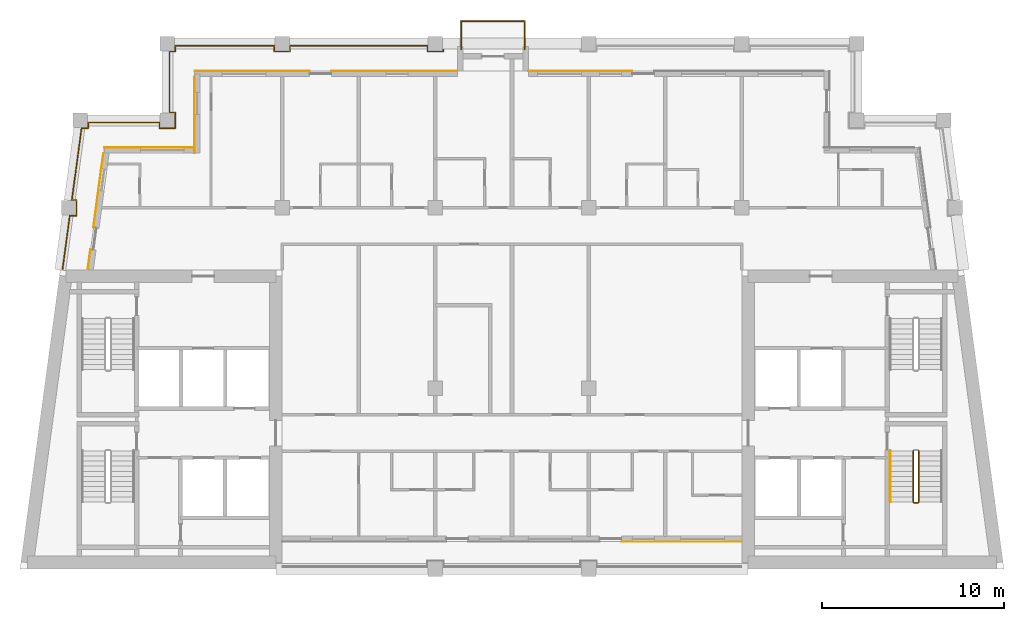
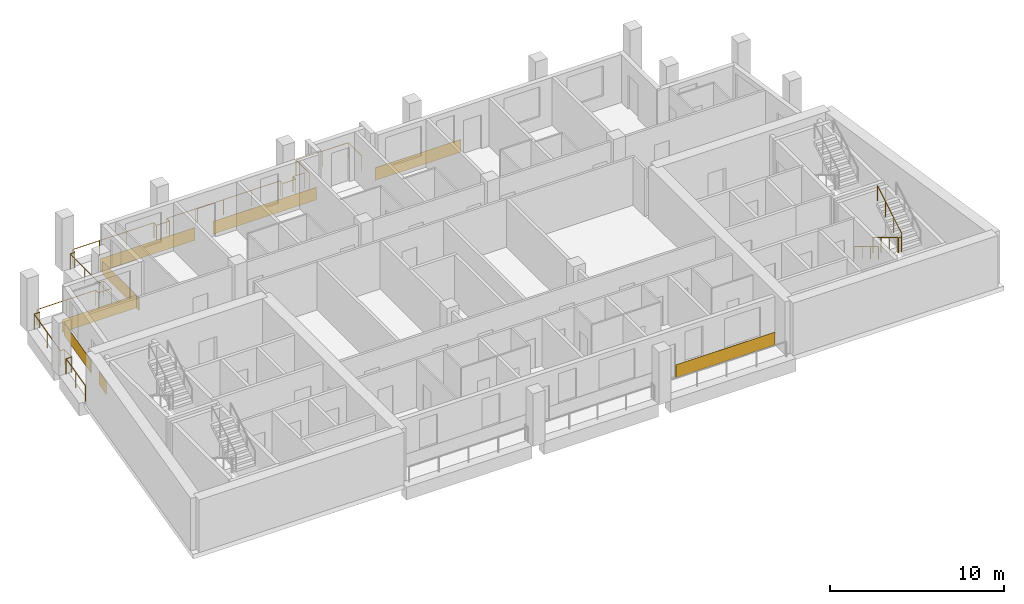
# One storey, part 8 of 9: 8 coverings, 5 railings.
"""IFC4 building model written with IfcOpenShell, lengths in metres."""

from ifc_helpers import new_model, si_unit, direction, frame, origin, origin_2d, place, context, subcontext, project, spatial, rectangle, circle, extrude, material, layer, layer_set, type_object, element, save


model = new_model("IFC4")

# Units and contexts
model_context = context("Model", 3, precision=1e-05, world=origin(), true_north=direction((0.0, 1.0)))
body_context = subcontext(model_context, "Body", "Model", "MODEL_VIEW")
ifc_project = project(units=[si_unit("LENGTHUNIT", "METRE"), si_unit("AREAUNIT", "SQUARE_METRE"), si_unit("VOLUMEUNIT", "CUBIC_METRE"), si_unit("PLANEANGLEUNIT", "RADIAN"), si_unit("MASSUNIT", "GRAM", prefix="KILO")], contexts=[model_context])

# Site, building, storey
site_placement = place(None, origin())
site = spatial("IfcSite", under=ifc_project, at=site_placement, CompositionType="ELEMENT")
building_placement = place(site_placement, origin())
building = spatial("IfcBuilding", under=site, at=building_placement, Name="Candeia Pilgrim Tower and Theatre", CompositionType="ELEMENT")
storey_placement = place(building_placement, frame((0.0, 0.0, 296.0)))
storey = spatial("IfcBuildingStorey", under=building, at=storey_placement, Name="L72", CompositionType="ELEMENT", Elevation=296.0)

# Railings
ifc_material_1 = material(Name="Stainless steel balustrade", Category="steel")
railing_type_1 = type_object("IfcRailingType", Name="G1 loggia guard 1100", PredefinedType="GUARDRAIL", material=ifc_material_1)
railing_1_placement = place(storey_placement, frame((94.070068359375, 140.47998046875, 0.0)))
element("IfcRailing", 1, at=railing_1_placement, inside=storey, type_object=railing_type_1, Name="Guard L72.1", PredefinedType="GUARDRAIL", context=body_context, shape_type="SweptSolid", body=[
    extrude(circle(Radius=0.02392578125, at=origin_2d()), frame((0.0, 0.0, 1.076171875), z_axis=(0.0, -1.0, 0.0), x_axis=(1.0, 0.0, 0.0)), (0.0, 0.0, 1.0), 0.31005859375),
    extrude(circle(Radius=0.02392578125, at=origin_2d()), frame((0.0, -0.31005859375, 1.076171875), z_axis=(1.0, 0.0, 0.0), x_axis=(0.0, 1.0, 0.0)), (0.0, 0.0, 1.0), 0.85986328125),
    extrude(circle(Radius=0.02392578125, at=origin_2d()), frame((0.85986328125, -0.31005859375, 1.076171875), z_axis=(0.0, 1.0, 0.0), x_axis=(-1.0, 0.0, 0.0)), (0.0, 0.0, 1.0), 0.860107421875),
    extrude(circle(Radius=0.02392578125, at=origin_2d()), frame((0.85986328125, 0.550048828125, 1.076171875), z_axis=(-1.0, 0.0, 0.0), x_axis=(0.0, -1.0, 0.0)), (0.0, 0.0, 1.0), 0.309814453125),
    extrude(circle(Radius=0.02392578125, at=origin_2d()), frame((0.550048828125, 0.550048828125, 1.076171875), z_axis=(0.0, 1.0, 0.0), x_axis=(-1.0, 0.0, 0.0)), (0.0, 0.0, 1.0), 3.340087890625),
    extrude(circle(Radius=0.02392578125, at=origin_2d()), frame((0.550048828125, 3.89013671875, 1.076171875), z_axis=(1.0, 0.0, 0.0), x_axis=(0.0, 1.0, 0.0)), (0.0, 0.0, 1.0), 0.309814453125),
    extrude(circle(Radius=0.02392578125, at=origin_2d()), frame((0.85986328125, 3.89013671875, 1.076171875), z_axis=(0.0, 1.0, 0.0), x_axis=(-1.0, 0.0, 0.0)), (0.0, 0.0, 1.0), 0.309814453125),
    extrude(circle(Radius=0.02392578125, at=origin_2d()), frame((0.85986328125, 4.199951171875, 1.076171875), z_axis=(1.0, 0.0, 0.0), x_axis=(0.0, 1.0, 0.0)), (0.0, 0.0, 1.0), 5.440185546875),
    extrude(circle(Radius=0.02392578125, at=origin_2d()), frame((6.300048828125, 4.199951171875, 1.076171875), z_axis=(0.0, -1.0, 0.0), x_axis=(1.0, 0.0, 0.0)), (0.0, 0.0, 1.0), 0.309814453125),
    extrude(circle(Radius=0.02392578125, at=origin_2d()), frame((6.300048828125, 3.89013671875, 1.076171875), z_axis=(1.0, 0.0, 0.0), x_axis=(0.0, 1.0, 0.0)), (0.0, 0.0, 1.0), 0.85986328125),
    extrude(circle(Radius=0.02392578125, at=origin_2d()), frame((7.159912109375, 3.89013671875, 1.076171875), z_axis=(0.0, 1.0, 0.0), x_axis=(-1.0, 0.0, 0.0)), (0.0, 0.0, 1.0), 0.309814453125),
    extrude(circle(Radius=0.02392578125, at=origin_2d()), frame((7.159912109375, 4.199951171875, 1.076171875), z_axis=(1.0, 0.0, 0.0), x_axis=(0.0, 1.0, 0.0)), (0.0, 0.0, 1.0), 7.5400390625),
    extrude(circle(Radius=0.02392578125, at=origin_2d()), frame((14.699951171875, 4.199951171875, 1.076171875), z_axis=(0.0, -1.0, 0.0), x_axis=(1.0, 0.0, 0.0)), (0.0, 0.0, 1.0), 0.309814453125),
    extrude(circle(Radius=0.02392578125, at=origin_2d()), frame((14.699951171875, 3.89013671875, 1.076171875), z_axis=(1.0, 0.0, 0.0), x_axis=(0.0, 1.0, 0.0)), (0.0, 0.0, 1.0), 0.85986328125),
    extrude(circle(Radius=0.02392578125, at=origin_2d()), frame((15.559814453125, 3.89013671875, 1.076171875), z_axis=(0.0, 1.0, 0.0), x_axis=(-1.0, 0.0, 0.0)), (0.0, 0.0, 1.0), 0.309814453125),
    extrude(circle(Radius=0.02392578125, at=origin_2d()), frame((15.559814453125, 4.199951171875, 1.076171875), z_axis=(1.0, 0.0, 0.0), x_axis=(0.0, 1.0, 0.0)), (0.0, 0.0, 1.0), 0.77001953125),
    extrude(circle(Radius=0.02099609375, at=origin_2d()), origin(), (0.0, 0.0, 1.0), 1.052001953125),
    extrude(circle(Radius=0.02099609375, at=origin_2d()), frame((0.0, -0.31005859375, 0.0)), (0.0, 0.0, 1.0), 1.052001953125),
    extrude(circle(Radius=0.02099609375, at=origin_2d()), frame((0.85986328125, -0.31005859375, 0.0)), (0.0, 0.0, 1.0), 1.052001953125),
    extrude(circle(Radius=0.02099609375, at=origin_2d()), frame((0.85986328125, 0.550048828125, 0.0)), (0.0, 0.0, 1.0), 1.052001953125),
    extrude(circle(Radius=0.02099609375, at=origin_2d()), frame((0.550048828125, 0.550048828125, 0.0)), (0.0, 0.0, 1.0), 1.052001953125),
    extrude(circle(Radius=0.02099609375, at=origin_2d()), frame((0.550048828125, 2.22021484375, 0.0)), (0.0, 0.0, 1.0), 1.052001953125),
    extrude(circle(Radius=0.02099609375, at=origin_2d()), frame((0.550048828125, 3.89013671875, 0.0)), (0.0, 0.0, 1.0), 1.052001953125),
    extrude(circle(Radius=0.02099609375, at=origin_2d()), frame((0.85986328125, 3.89013671875, 0.0)), (0.0, 0.0, 1.0), 1.052001953125),
    extrude(circle(Radius=0.02099609375, at=origin_2d()), frame((0.85986328125, 4.199951171875, 0.0)), (0.0, 0.0, 1.0), 1.052001953125),
    extrude(circle(Radius=0.02099609375, at=origin_2d()), frame((2.67333984375, 4.199951171875, 0.0)), (0.0, 0.0, 1.0), 1.052001953125),
    extrude(circle(Radius=0.02099609375, at=origin_2d()), frame((4.486572265625, 4.199951171875, 0.0)), (0.0, 0.0, 1.0), 1.052001953125),
    extrude(circle(Radius=0.02099609375, at=origin_2d()), frame((6.300048828125, 4.199951171875, 0.0)), (0.0, 0.0, 1.0), 1.052001953125),
    extrude(circle(Radius=0.02099609375, at=origin_2d()), frame((6.300048828125, 3.89013671875, 0.0)), (0.0, 0.0, 1.0), 1.052001953125),
    extrude(circle(Radius=0.02099609375, at=origin_2d()), frame((7.159912109375, 3.89013671875, 0.0)), (0.0, 0.0, 1.0), 1.052001953125),
    extrude(circle(Radius=0.02099609375, at=origin_2d()), frame((7.159912109375, 4.199951171875, 0.0)), (0.0, 0.0, 1.0), 1.052001953125),
    extrude(circle(Radius=0.02099609375, at=origin_2d()), frame((9.044921875, 4.199951171875, 0.0)), (0.0, 0.0, 1.0), 1.052001953125),
    extrude(circle(Radius=0.02099609375, at=origin_2d()), frame((10.929931640625, 4.199951171875, 0.0)), (0.0, 0.0, 1.0), 1.052001953125),
    extrude(circle(Radius=0.02099609375, at=origin_2d()), frame((12.81494140625, 4.199951171875, 0.0)), (0.0, 0.0, 1.0), 1.052001953125),
    extrude(circle(Radius=0.02099609375, at=origin_2d()), frame((14.699951171875, 4.199951171875, 0.0)), (0.0, 0.0, 1.0), 1.052001953125),
    extrude(circle(Radius=0.02099609375, at=origin_2d()), frame((14.699951171875, 3.89013671875, 0.0)), (0.0, 0.0, 1.0), 1.052001953125),
    extrude(circle(Radius=0.02099609375, at=origin_2d()), frame((15.559814453125, 3.89013671875, 0.0)), (0.0, 0.0, 1.0), 1.052001953125),
    extrude(circle(Radius=0.02099609375, at=origin_2d()), frame((15.559814453125, 4.199951171875, 0.0)), (0.0, 0.0, 1.0), 1.052001953125),
    extrude(circle(Radius=0.02099609375, at=origin_2d()), frame((16.329833984375, 4.199951171875, 0.0)), (0.0, 0.0, 1.0), 1.052001953125),
])
railing_2_placement = place(storey_placement, frame((88.758544921875, 132.449951171875, 0.0)))
element("IfcRailing", 2, at=railing_2_placement, inside=storey, type_object=railing_type_1, Name="Guard L72.4", PredefinedType="GUARDRAIL", context=body_context, shape_type="SweptSolid", body=[
    extrude(circle(Radius=0.02392578125, at=origin_2d()), frame((0.0, 0.0, 1.076171875), z_axis=(0.133401056725, 0.991062136329, 0.0), x_axis=(-0.991062136329, 0.133401056725, 0.0)), (0.0, 0.0, 1.0), 2.946533203125),
    extrude(circle(Radius=0.02392578125, at=origin_2d()), frame((0.39306640625, 2.920166015625, 1.076171875), z_axis=(1.0, 0.0, 0.0), x_axis=(0.0, 1.0, 0.0)), (0.0, 0.0, 1.0), 0.366943359375),
    extrude(circle(Radius=0.02392578125, at=origin_2d()), frame((0.760009765625, 2.920166015625, 1.076171875), z_axis=(0.0, 1.0, 0.0), x_axis=(-1.0, 0.0, 0.0)), (0.0, 0.0, 1.0), 0.85986328125),
    extrude(circle(Radius=0.02392578125, at=origin_2d()), frame((0.760009765625, 3.780029296875, 1.076171875), z_axis=(-1.0, 0.0, 0.0), x_axis=(0.0, -1.0, 0.0)), (0.0, 0.0, 1.0), 0.251220703125),
    extrude(circle(Radius=0.02392578125, at=origin_2d()), frame((0.5087890625, 3.780029296875, 1.076171875), z_axis=(0.133446811067, 0.99105597653, 0.0), x_axis=(-0.99105597653, 0.133446811067, 0.0)), (0.0, 0.0, 1.0), 3.9755859375),
    extrude(circle(Radius=0.02392578125, at=origin_2d()), frame((1.039306640625, 7.719970703125, 1.076171875), z_axis=(1.0, 0.0, 0.0), x_axis=(0.0, 1.0, 0.0)), (0.0, 0.0, 1.0), 0.36669921875),
    extrude(circle(Radius=0.02392578125, at=origin_2d()), frame((1.406005859375, 7.719970703125, 1.076171875), z_axis=(0.0, 1.0, 0.0), x_axis=(-1.0, 0.0, 0.0)), (0.0, 0.0, 1.0), 0.31005859375),
    extrude(circle(Radius=0.02392578125, at=origin_2d()), frame((1.406005859375, 8.030029296875, 1.076171875), z_axis=(1.0, 0.0, 0.0), x_axis=(0.0, 1.0, 0.0)), (0.0, 0.0, 1.0), 3.905517578125),
    extrude(circle(Radius=0.02099609375, at=origin_2d()), origin(), (0.0, 0.0, 1.0), 1.052001953125),
    extrude(circle(Radius=0.02099609375, at=origin_2d()), frame((0.196533203125, 1.4599609375, 0.0)), (0.0, 0.0, 1.0), 1.052001953125),
    extrude(circle(Radius=0.02099609375, at=origin_2d()), frame((0.39306640625, 2.920166015625, 0.0)), (0.0, 0.0, 1.0), 1.052001953125),
    extrude(circle(Radius=0.02099609375, at=origin_2d()), frame((0.760009765625, 2.920166015625, 0.0)), (0.0, 0.0, 1.0), 1.052001953125),
    extrude(circle(Radius=0.02099609375, at=origin_2d()), frame((0.760009765625, 3.780029296875, 0.0)), (0.0, 0.0, 1.0), 1.052001953125),
    extrude(circle(Radius=0.02099609375, at=origin_2d()), frame((0.5087890625, 3.780029296875, 0.0)), (0.0, 0.0, 1.0), 1.052001953125),
    extrude(circle(Radius=0.02099609375, at=origin_2d()), frame((0.77392578125, 5.75, 0.0)), (0.0, 0.0, 1.0), 1.052001953125),
    extrude(circle(Radius=0.02099609375, at=origin_2d()), frame((1.039306640625, 7.719970703125, 0.0)), (0.0, 0.0, 1.0), 1.052001953125),
    extrude(circle(Radius=0.02099609375, at=origin_2d()), frame((1.406005859375, 7.719970703125, 0.0)), (0.0, 0.0, 1.0), 1.052001953125),
    extrude(circle(Radius=0.02099609375, at=origin_2d()), frame((1.406005859375, 8.030029296875, 0.0)), (0.0, 0.0, 1.0), 1.052001953125),
    extrude(circle(Radius=0.02099609375, at=origin_2d()), frame((3.35888671875, 8.030029296875, 0.0)), (0.0, 0.0, 1.0), 1.052001953125),
    extrude(circle(Radius=0.02099609375, at=origin_2d()), frame((5.3115234375, 8.030029296875, 0.0)), (0.0, 0.0, 1.0), 1.052001953125),
])
railing_3_placement = place(storey_placement, frame((110.610107421875, 144.5, 0.0)))
element("IfcRailing", 3, at=railing_3_placement, inside=storey, type_object=railing_type_1, Name="Balcony guard L72", PredefinedType="GUARDRAIL", context=body_context, shape_type="SweptSolid", body=[
    extrude(circle(Radius=0.02392578125, at=origin_2d()), frame((0.0, 0.0, 1.076171875), z_axis=(0.0, 1.0, 0.0), x_axis=(-1.0, 0.0, 0.0)), (0.0, 0.0, 1.0), 1.5400390625),
    extrude(circle(Radius=0.02392578125, at=origin_2d()), frame((0.0, 1.5400390625, 1.076171875), z_axis=(1.0, 0.0, 0.0), x_axis=(0.0, 1.0, 0.0)), (0.0, 0.0, 1.0), 3.47998046875),
    extrude(circle(Radius=0.02392578125, at=origin_2d()), frame((3.47998046875, 1.5400390625, 1.076171875), z_axis=(0.0, -1.0, 0.0), x_axis=(1.0, 0.0, 0.0)), (0.0, 0.0, 1.0), 1.5400390625),
    extrude(circle(Radius=0.02099609375, at=origin_2d()), origin(), (0.0, 0.0, 1.0), 1.052001953125),
    extrude(circle(Radius=0.02099609375, at=origin_2d()), frame((0.0, 1.5400390625, 0.0)), (0.0, 0.0, 1.0), 1.052001953125),
    extrude(circle(Radius=0.02099609375, at=origin_2d()), frame((1.739990234375, 1.5400390625, 0.0)), (0.0, 0.0, 1.0), 1.052001953125),
    extrude(circle(Radius=0.02099609375, at=origin_2d()), frame((3.47998046875, 1.5400390625, 0.0)), (0.0, 0.0, 1.0), 1.052001953125),
    extrude(circle(Radius=0.02099609375, at=origin_2d()), frame((3.47998046875, 0.0, 0.0)), (0.0, 0.0, 1.0), 1.052001953125),
])

# Coverings
ifc_material_2 = material(Name="Glazed ceramic tile bottle green")
ifc_layer = layer(ifc_material_2, 0.02001953125)
ifc_layer_set = layer_set([ifc_layer], Name="Glazed ceramic tile bottle green")
covering_type = type_object("IfcCoveringType", Name="Glazed ceramic tile bottle green", PredefinedType="CLADDING", material=ifc_layer_set)
covering_1_placement = place(storey_placement, frame((90.720947265625, 136.759521484375, 0.0), z_axis=(0.0, 0.0, 1.0), x_axis=(-0.133412012145, -0.991060661622, 0.0)))
element("IfcCovering", 4, at=covering_1_placement, inside=storey, type_object=covering_type, Name="Tile cladding bottle green L72", PredefinedType="CLADDING", context=body_context, shape_type="SweptSolid", body=[
    extrude(rectangle(XDim=4.123779296875, YDim=0.02001953125, at=origin_2d()), origin(), (0.0, 0.0, 1.0), 0.89990234375),
])
covering_2_placement = place(storey_placement, frame((90.21142578125, 132.97412109375, 0.0), z_axis=(0.0, 0.0, 1.0), x_axis=(-0.133412012145, -0.991060661622, 0.0)))
element("IfcCovering", 5, at=covering_2_placement, inside=storey, type_object=covering_type, Name="Tile cladding bottle green L72", PredefinedType="CLADDING", context=body_context, shape_type="SweptSolid", body=[
    extrude(rectangle(XDim=1.115234375, YDim=0.02001953125, at=origin_2d()), origin(), (0.0, 0.0, 1.0), 0.89990234375),
])
covering_3_placement = place(storey_placement, frame((122.699951171875, 117.489990234375, 0.0), z_axis=(0.0, 0.0, 1.0), x_axis=(1.0, 0.0, 0.0)))
element("IfcCovering", 6, at=covering_3_placement, inside=storey, type_object=covering_type, Name="Tile cladding bottle green L72", PredefinedType="CLADDING", context=body_context, shape_type="SweptSolid", body=[
    extrude(rectangle(XDim=6.60009765625, YDim=0.02001953125, at=origin_2d()), origin(), (0.0, 0.0, 1.0), 0.89990234375),
])
covering_4_placement = place(storey_placement, frame((117.14990234375, 143.31005859375, 0.0), z_axis=(0.0, 0.0, 1.0), x_axis=(-1.0, 0.0, 0.0)))
element("IfcCovering", 7, at=covering_4_placement, inside=storey, type_object=covering_type, Name="Tile cladding bottle green L72", PredefinedType="CLADDING", context=body_context, shape_type="SweptSolid", body=[
    extrude(rectangle(XDim=5.699951171875, YDim=0.02001953125, at=origin_2d()), origin(), (0.0, 0.0, 1.0), 0.89990234375),
])
covering_5_placement = place(storey_placement, frame((106.949951171875, 143.31005859375, 0.0), z_axis=(0.0, 0.0, 1.0), x_axis=(-1.0, 0.0, 0.0)))
element("IfcCovering", 8, at=covering_5_placement, inside=storey, type_object=covering_type, Name="Tile cladding bottle green L72", PredefinedType="CLADDING", context=body_context, shape_type="SweptSolid", body=[
    extrude(rectangle(XDim=6.89990234375, YDim=0.02001953125, at=origin_2d()), origin(), (0.0, 0.0, 1.0), 0.89990234375),
])
covering_6_placement = place(storey_placement, frame((99.14990234375, 143.31005859375, 0.0), z_axis=(0.0, 0.0, 1.0), x_axis=(-1.0, 0.0, 0.0)))
element("IfcCovering", 9, at=covering_6_placement, inside=storey, type_object=covering_type, Name="Tile cladding bottle green L72", PredefinedType="CLADDING", context=body_context, shape_type="SweptSolid", body=[
    extrude(rectangle(XDim=6.300048828125, YDim=0.02001953125, at=origin_2d()), origin(), (0.0, 0.0, 1.0), 0.89990234375),
])
covering_7_placement = place(storey_placement, frame((95.989990234375, 140.889892578125, 0.0), z_axis=(0.0, 0.0, 1.0), x_axis=(0.0, -1.0, 0.0)))
element("IfcCovering", 10, at=covering_7_placement, inside=storey, type_object=covering_type, Name="Tile cladding bottle green L72", PredefinedType="CLADDING", context=body_context, shape_type="SweptSolid", body=[
    extrude(rectangle(XDim=4.179931640625, YDim=0.02001953125, at=origin_2d()), origin(), (0.0, 0.0, 1.0), 0.89990234375),
])
covering_8_placement = place(storey_placement, frame((93.51318359375, 139.110107421875, 0.0), z_axis=(0.0, 0.0, 1.0), x_axis=(-1.0, 0.0, 0.0)))
element("IfcCovering", 11, at=covering_8_placement, inside=storey, type_object=covering_type, Name="Tile cladding bottle green L72", PredefinedType="CLADDING", context=body_context, shape_type="SweptSolid", body=[
    extrude(rectangle(XDim=4.933837890625, YDim=0.02001953125, at=origin_2d()), origin(), (0.0, 0.0, 1.0), 0.89990234375),
])

# Railings
railing_type_2 = type_object("IfcRailingType", Name="RL-GUARD-1100", PredefinedType="GUARDRAIL", material=ifc_material_1)
railing_4_placement = place(storey_placement, frame((135.39794921875, 122.47509765625, 0.168212890625)))
element("IfcRailing", 12, at=railing_4_placement, inside=storey, type_object=railing_type_2, Name="L72 ST3 stair guard 1", PredefinedType="GUARDRAIL", context=body_context, shape_type="SweptSolid", body=[
    extrude(circle(Radius=0.02392578125, at=origin_2d()), frame((0.0, 0.0, 1.076171875), z_axis=(0.0, -0.857242210791, 0.514913383045), x_axis=(1.0, 0.0, 0.0)), (0.0, 0.0, 1.0), 3.266357421875),
    extrude(circle(Radius=0.02392578125, at=origin_2d()), frame((0.0, -2.800048828125, 2.7578125), z_axis=(0.707106781187, -0.707106781187, 0.0), x_axis=(0.707106781187, 0.707106781187, 0.0)), (0.0, 0.0, 1.0), 0.07080078125),
    extrude(circle(Radius=0.02392578125, at=origin_2d()), frame((0.050048828125, -2.85009765625, 2.7578125), z_axis=(1.0, 0.0, 0.0), x_axis=(0.0, 1.0, 0.0)), (0.0, 0.0, 1.0), 0.199951171875),
    extrude(circle(Radius=0.02392578125, at=origin_2d()), frame((0.25, -2.85009765625, 2.7578125), z_axis=(0.274582412415, 0.274582412415, 0.921525364591), x_axis=(-0.707106781187, 0.707106781187, 0.0)), (0.0, 0.0, 1.0), 0.182373046875),
    extrude(circle(Radius=0.02392578125, at=origin_2d()), frame((0.300048828125, -2.800048828125, 2.92578125), z_axis=(0.0, 0.857242210791, 0.514913383045), x_axis=(-1.0, 0.0, 0.0)), (0.0, 0.0, 1.0), 3.266357421875),
    extrude(circle(Radius=0.02099609375, at=origin_2d()), origin(), (0.0, 0.0, 1.0), 1.052001953125),
    extrude(circle(Radius=0.02099609375, at=origin_2d()), frame((0.0, -0.933349609375, 0.560546875)), (0.0, 0.0, 1.0), 1.052001953125),
    extrude(circle(Radius=0.02099609375, at=origin_2d()), frame((0.0, -1.86669921875, 1.121337890625)), (0.0, 0.0, 1.0), 1.052001953125),
    extrude(circle(Radius=0.02099609375, at=origin_2d()), frame((0.0, -2.800048828125, 1.681884765625)), (0.0, 0.0, 1.0), 1.052001953125),
    extrude(circle(Radius=0.02099609375, at=origin_2d()), frame((0.050048828125, -2.85009765625, 1.681884765625)), (0.0, 0.0, 1.0), 1.052001953125),
    extrude(circle(Radius=0.02099609375, at=origin_2d()), frame((0.25, -2.85009765625, 1.681884765625)), (0.0, 0.0, 1.0), 1.052001953125),
    extrude(circle(Radius=0.02099609375, at=origin_2d()), frame((0.300048828125, -2.800048828125, 1.849853515625)), (0.0, 0.0, 1.0), 1.052001953125),
    extrude(circle(Radius=0.02099609375, at=origin_2d()), frame((0.300048828125, -1.86669921875, 2.410400390625)), (0.0, 0.0, 1.0), 1.052001953125),
    extrude(circle(Radius=0.02099609375, at=origin_2d()), frame((0.300048828125, -0.933349609375, 2.97119140625)), (0.0, 0.0, 1.0), 1.052001953125),
    extrude(circle(Radius=0.02099609375, at=origin_2d()), frame((0.300048828125, 0.0, 3.53173828125)), (0.0, 0.0, 1.0), 1.052001953125),
])
ifc_material_3 = material(Name="Stainless steel handrail", Category="steel")
railing_type_3 = type_object("IfcRailingType", Name="RL-HANDRAIL-900", PredefinedType="HANDRAIL", material=ifc_material_3)
railing_5_placement = place(storey_placement, frame((134.14794921875, 122.47509765625, 0.168212890625)))
element("IfcRailing", 13, at=railing_5_placement, inside=storey, type_object=railing_type_3, Name="L72 ST3 stair handrail 1", PredefinedType="HANDRAIL", context=body_context, shape_type="SweptSolid", body=[
    extrude(circle(Radius=0.02392578125, at=origin_2d()), frame((0.0, 0.0, 0.8759765625), z_axis=(0.0, -0.857242210791, 0.514913383045), x_axis=(1.0, 0.0, 0.0)), (0.0, 0.0, 1.0), 3.266357421875),
    extrude(circle(Radius=0.02099609375, at=origin_2d()), origin(), (0.0, 0.0, 1.0), 0.851806640625),
    extrude(circle(Radius=0.02099609375, at=origin_2d()), frame((0.0, -0.933349609375, 0.560546875)), (0.0, 0.0, 1.0), 0.851806640625),
    extrude(circle(Radius=0.02099609375, at=origin_2d()), frame((0.0, -1.86669921875, 1.121337890625)), (0.0, 0.0, 1.0), 0.851806640625),
    extrude(circle(Radius=0.02099609375, at=origin_2d()), frame((0.0, -2.800048828125, 1.681884765625)), (0.0, 0.0, 1.0), 0.851806640625),
])

save(model, "model.ifc")
